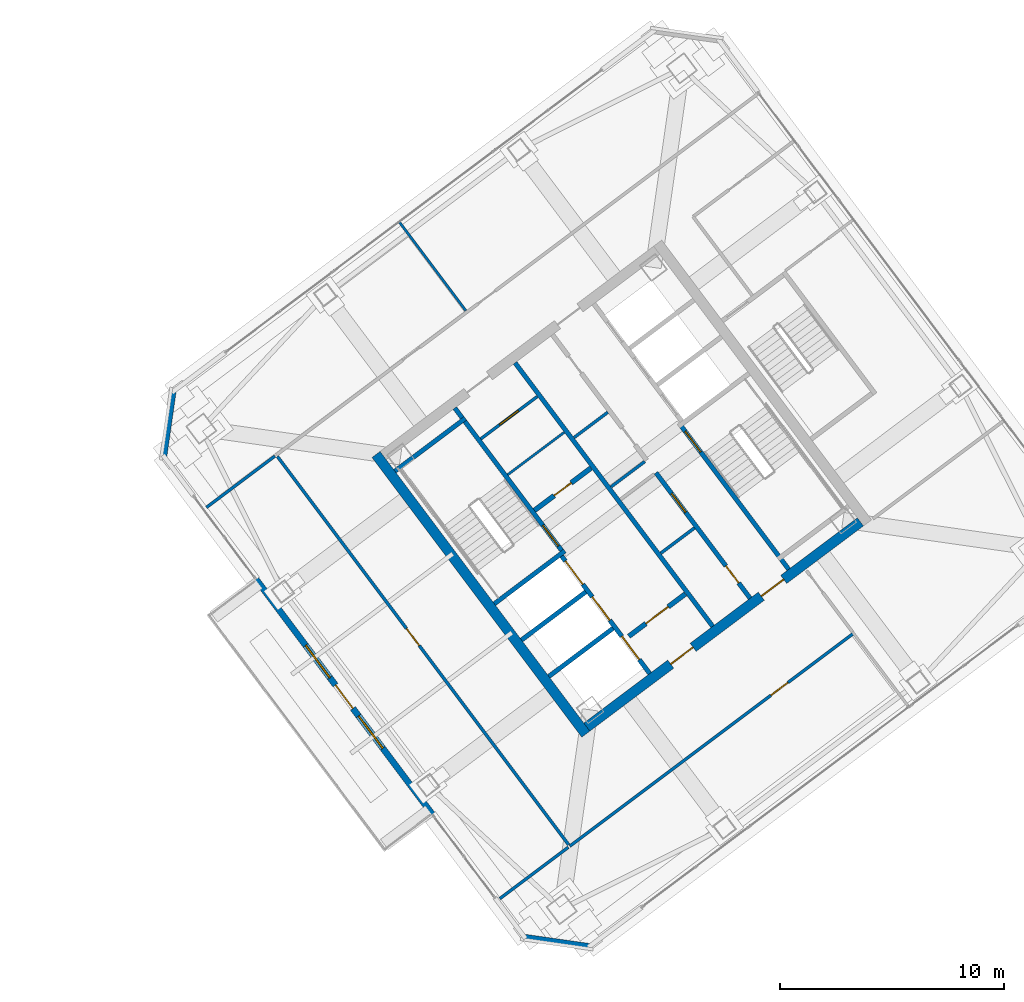
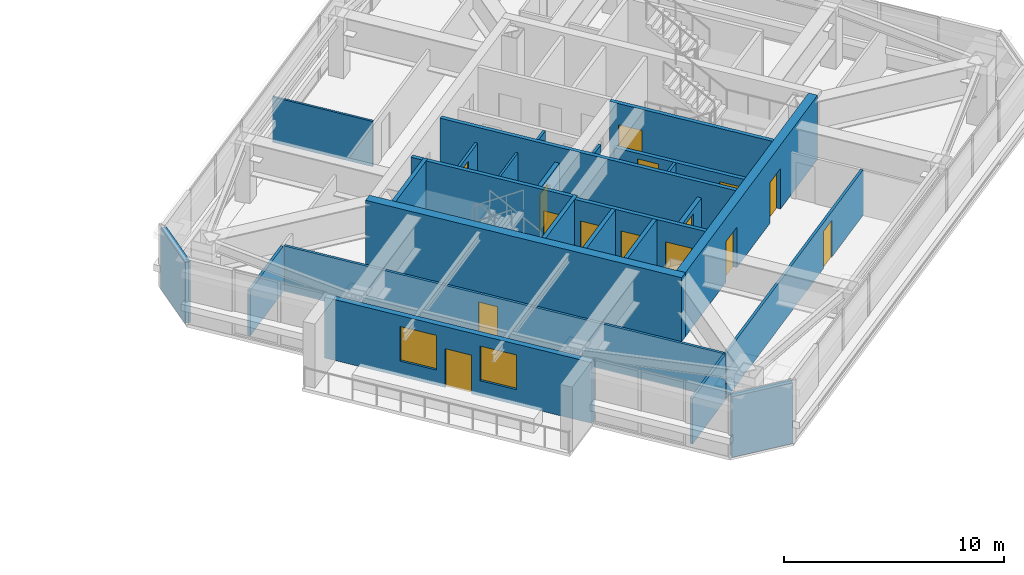
# One storey, part 32 of 40: 26 walls, 15 doors, 2 windows, 17 openings.
"""IFC4 building model written with IfcOpenShell, lengths in metres."""

from ifc_helpers import new_model, si_unit, direction, frame, frame_2d, origin, place, context, subcontext, project, spatial, rectangle, extrude, material, layer, layer_set, type_object, element, fill, save


model = new_model("IFC4")

# Units and contexts
model_context = context("Model", 3, precision=1e-05, world=origin(), true_north=direction((0.0, 1.0)))
body_context = subcontext(model_context, "Body", "Model", "MODEL_VIEW")
ifc_project = project(units=[si_unit("LENGTHUNIT", "METRE"), si_unit("AREAUNIT", "SQUARE_METRE"), si_unit("VOLUMEUNIT", "CUBIC_METRE"), si_unit("PLANEANGLEUNIT", "RADIAN"), si_unit("MASSUNIT", "GRAM", prefix="KILO")], contexts=[model_context])

# Site, building, storey
site_placement = place(None, origin())
site = spatial("IfcSite", under=ifc_project, at=site_placement, CompositionType="ELEMENT")
building_placement = place(site_placement, origin())
building = spatial("IfcBuilding", under=site, at=building_placement, Name="Tashvorn Skyway Center", CompositionType="ELEMENT")
storey_placement = place(building_placement, frame((0.0, 0.0, 229.050048828125)))
storey = spatial("IfcBuildingStorey", under=building, at=storey_placement, Name="L62", CompositionType="ELEMENT", Elevation=229.050048828125)

# Wall
ifc_material_1 = material(Name="Concrete C50/60", Category="concrete")
ifc_layer_1 = layer(ifc_material_1, 0.449951171875)
ifc_layer_set_1 = layer_set([ifc_layer_1], Name="Concrete C50/60")
wall_type_1 = type_object("IfcWallType", Name="WALL-CORE-450", PredefinedType="SHEAR", material=ifc_layer_set_1)
wall_1_placement = place(storey_placement, frame((112.39599609375, 21.047119140625, 0.0), z_axis=(0.0, 0.0, 1.0), x_axis=(-0.600005007985, 0.799996243986, 0.0)))
element("IfcWall", 1, at=wall_1_placement, inside=storey, type_object=wall_type_1, Name="Tower 2 L62 West Core Shear Wall", PredefinedType="SHEAR", context=body_context, shape_type="SweptSolid", body=[
    extrude(rectangle(XDim=15.60009765625, YDim=0.449951171875, at=frame_2d((7.800048828125, 0.0))), origin(), (0.0, 0.0, 1.0), 3.550048828125),
])

# Wall, openings, doors
wall_2_placement = place(storey_placement, frame((124.64892578125, 30.51806640625, 0.0), z_axis=(0.0, 0.0, 1.0), x_axis=(-0.8, -0.6, 0.0)))
wall_2 = element("IfcWall", 2, at=wall_2_placement, inside=storey, type_object=wall_type_1, Name="Tower 2 L62 South Core Shear Wall", PredefinedType="SHEAR", context=body_context, shape_type="SweptSolid", body=[
    extrude(rectangle(XDim=15.260009765625, YDim=0.449951171875, at=frame_2d((7.6298828125, 0.0))), origin(), (0.0, 0.0, 1.0), 3.550048828125),
])
opening_1_placement = place(wall_2_placement, frame((9.330078125, 0.0, 0.0)))
opening_1 = element("IfcOpeningElement", 3, at=opening_1_placement, cuts=wall_2, Name="Opening D-FFL-1250", PredefinedType="OPENING", context=body_context, shape_type="SweptSolid", body=[
    extrude(rectangle(XDim=1.25, YDim=2.25, at=frame_2d((0.625, 1.125))), frame((0.0, 0.23486328125, 0.0), z_axis=(0.0, -1.0, 0.0), x_axis=(1.0, 0.0, 0.0)), (0.0, 0.0, 1.0), 0.469970703125),
])
opening_2_placement = place(wall_2_placement, frame((4.280029296875, 0.0, 0.0)))
opening_2 = element("IfcOpeningElement", 4, at=opening_2_placement, cuts=wall_2, Name="Opening D-FFL-1250", PredefinedType="OPENING", context=body_context, shape_type="SweptSolid", body=[
    extrude(rectangle(XDim=1.25, YDim=2.25, at=frame_2d((0.625, 1.125))), frame((0.0, 0.23486328125, 0.0), z_axis=(0.0, -1.0, 0.0), x_axis=(1.0, 0.0, 0.0)), (0.0, 0.0, 1.0), 0.469970703125),
])
ifc_material_2 = material(Name="Hollow galvanized steel fire door assembly", Category="steel")
door_type_1 = type_object("IfcDoorType", Name="DOOR-FFL-1250", OperationType="NOTDEFINED", PredefinedType="DOOR", material=ifc_material_2)
door_1_placement = place(opening_1_placement, origin())
door_1 = element("IfcDoor", 5, at=door_1_placement, inside=storey, type_object=door_type_1, Name="Tower 2 L62 Core South Firefighting Exit Door", OperationType="SINGLE_SWING_LEFT", OverallHeight=2.25, OverallWidth=1.25, PredefinedType="DOOR", context=body_context, shape_type="SweptSolid", body=[
    extrude(rectangle(XDim=1.25, YDim=2.25, at=frame_2d((0.625, 1.125))), frame((0.0, 0.02490234375, 0.0), z_axis=(0.0, -1.0, 0.0), x_axis=(1.0, 0.0, 0.0)), (0.0, 0.0, 1.0), 0.050048828125),
])
fill(opening_1, door_1)
door_2_placement = place(opening_2_placement, origin())
door_2 = element("IfcDoor", 6, at=door_2_placement, inside=storey, type_object=door_type_1, Name="Tower 2 L62 Core South Lift Lobby Door", OperationType="SINGLE_SWING_RIGHT", OverallHeight=2.25, OverallWidth=1.25, PredefinedType="DOOR", context=body_context, shape_type="SweptSolid", body=[
    extrude(rectangle(XDim=1.25, YDim=2.25, at=frame_2d((0.625, 1.125))), frame((0.0, 0.02490234375, 0.0), z_axis=(0.0, -1.0, 0.0), x_axis=(1.0, 0.0, 0.0)), (0.0, 0.0, 1.0), 0.050048828125),
])
fill(opening_2, door_2)

# Wall, openings, door, windows
ifc_material_3 = material(Name="Precast concrete C40/50", Category="concrete")
ifc_layer_2 = layer(ifc_material_3, 0.280029296875)
ifc_layer_set_2 = layer_set([ifc_layer_2], Name="Precast concrete C40/50")
wall_type_2 = type_object("IfcWallType", Name="WALL-EXT-280", PredefinedType="SOLIDWALL", material=ifc_layer_set_2)
wall_3_placement = place(storey_placement, frame((105.575927734375, 17.431884765625, 0.0), z_axis=(0.0, 0.0, 1.0), x_axis=(-0.599994081423, 0.800004438899, 0.0)))
wall_3 = element("IfcWall", 7, at=wall_3_placement, inside=storey, type_object=wall_type_2, Name="Tower 2 L62 West Sky Garden Loggia Wall", PredefinedType="SOLIDWALL", context=body_context, shape_type="SweptSolid", body=[
    extrude(rectangle(XDim=13.199951171875, YDim=0.280029296875, at=frame_2d((6.60009765625, 0.0))), origin(), (0.0, 0.0, 1.0), 3.369873046875),
])
opening_3_placement = place(wall_3_placement, frame((5.949951171875, 0.0, 0.0)))
opening_3 = element("IfcOpeningElement", 8, at=opening_3_placement, cuts=wall_3, Name="Opening D-TER-1300", PredefinedType="OPENING", context=body_context, shape_type="SweptSolid", body=[
    extrude(rectangle(XDim=1.300048828125, YDim=2.14990234375, at=frame_2d((0.64990234375, 1.074951171875))), frame((0.0, 0.14990234375, 0.0), z_axis=(0.0, -1.0, 0.0), x_axis=(1.0, 0.0, 0.0)), (0.0, 0.0, 1.0), 0.300048828125),
])
opening_4_placement = place(wall_3_placement, frame((3.73193359375, 0.0, 0.85009765625)))
opening_4 = element("IfcOpeningElement", 9, at=opening_4_placement, cuts=wall_3, Name="Opening WIN-1800", PredefinedType="OPENING", context=body_context, shape_type="SweptSolid", body=[
    extrude(rectangle(XDim=1.800048828125, YDim=1.919921875, at=frame_2d((0.89990234375, 0.9599609375))), frame((0.0, 0.14990234375, 0.0), z_axis=(0.0, -1.0, 0.0), x_axis=(1.0, 0.0, 0.0)), (0.0, 0.0, 1.0), 0.300048828125),
])
opening_5_placement = place(wall_3_placement, frame((7.66796875, 0.0, 0.85009765625)))
opening_5 = element("IfcOpeningElement", 10, at=opening_5_placement, cuts=wall_3, Name="Opening WIN-1800", PredefinedType="OPENING", context=body_context, shape_type="SweptSolid", body=[
    extrude(rectangle(XDim=1.800048828125, YDim=1.919921875, at=frame_2d((0.89990234375, 0.9599609375))), frame((0.0, 0.14990234375, 0.0), z_axis=(0.0, -1.0, 0.0), x_axis=(1.0, 0.0, 0.0)), (0.0, 0.0, 1.0), 0.300048828125),
])
ifc_material_4 = material(Name="Thermally broken bronze-anodized aluminium 6063-T6", Category="aluminium")
door_type_2 = type_object("IfcDoorType", Name="DOOR-TERR-1300", OperationType="NOTDEFINED", PredefinedType="DOOR", material=ifc_material_4)
door_3_placement = place(opening_3_placement, origin())
door_3 = element("IfcDoor", 11, at=door_3_placement, inside=storey, type_object=door_type_2, Name="Tower 2 L62 Sky Garden Access Door", OperationType="SINGLE_SWING_LEFT", OverallHeight=2.14990234375, OverallWidth=1.300048828125, PredefinedType="DOOR", context=body_context, shape_type="SweptSolid", body=[
    extrude(rectangle(XDim=1.300048828125, YDim=2.14990234375, at=frame_2d((0.64990234375, 1.074951171875))), frame((0.0, 0.02490234375, 0.0), z_axis=(0.0, -1.0, 0.0), x_axis=(1.0, 0.0, 0.0)), (0.0, 0.0, 1.0), 0.050048828125),
])
fill(opening_3, door_3)
ifc_material_5 = material(Name="Low-E solar-control double insulating safety glass", Category="glass")
window_type = type_object("IfcWindowType", Name="WIN-TERR-1800", PartitioningType="SINGLE_PANEL", PredefinedType="WINDOW", material=ifc_material_5)
window_1_placement = place(opening_4_placement, origin())
window_1 = element("IfcWindow", 12, at=window_1_placement, inside=storey, type_object=window_type, Name="Tower 2 L62 Sky Garden Window", OverallHeight=1.919921875, OverallWidth=1.800048828125, PartitioningType="SINGLE_PANEL", PredefinedType="WINDOW", context=body_context, shape_type="SweptSolid", body=[
    extrude(rectangle(XDim=1.800048828125, YDim=1.919921875, at=frame_2d((0.89990234375, 0.9599609375))), frame((0.0, 0.030029296875, 0.0), z_axis=(0.0, -1.0, 0.0), x_axis=(1.0, 0.0, 0.0)), (0.0, 0.0, 1.0), 0.06005859375),
])
fill(opening_4, window_1)
window_2_placement = place(opening_5_placement, origin())
window_2 = element("IfcWindow", 13, at=window_2_placement, inside=storey, type_object=window_type, Name="Tower 2 L62 Sky Garden Second Window", OverallHeight=1.919921875, OverallWidth=1.800048828125, PartitioningType="SINGLE_PANEL", PredefinedType="WINDOW", context=body_context, shape_type="SweptSolid", body=[
    extrude(rectangle(XDim=1.800048828125, YDim=1.919921875, at=frame_2d((0.89990234375, 0.9599609375))), frame((0.0, 0.030029296875, 0.0), z_axis=(0.0, -1.0, 0.0), x_axis=(1.0, 0.0, 0.0)), (0.0, 0.0, 1.0), 0.06005859375),
])
fill(opening_5, window_2)

# Walls
for number, where, z_axis, x_axis, name in (
    (14, (112.580078125, 11.56005859375, 0.0), (0.0, 0.0, 1.0), (-0.989954425158, 0.14138683146, 0.0), "Tower 2 L62 SW Precast Chamfer Wall"),
    (15, (93.56005859375, 33.419921875, 0.0), (0.0, 0.0, 1.0), (0.14138683146, 0.989954425158, 0.0), "Tower 2 L62 NW Precast Chamfer Wall"),
):
    element("IfcWall", number, at=place(storey_placement, frame(where, z_axis=z_axis, x_axis=x_axis)), inside=storey, type_object=wall_type_2, Name=name, PredefinedType="SOLIDWALL", context=body_context, shape_type="SweptSolid", body=[
        extrude(rectangle(XDim=2.969970703125, YDim=0.280029296875, at=frame_2d((1.48486328125, 0.0))), origin(), (0.0, 0.0, 1.0), 3.369873046875),
    ])

# Wall, opening, door
ifc_material_6 = material(Name="Concrete C40/50", Category="concrete")
ifc_layer_3 = layer(ifc_material_6, 0.219970703125)
ifc_layer_set_3 = layer_set([ifc_layer_3], Name="Concrete C40/50")
wall_type_3 = type_object("IfcWallType", Name="WALL-FFL-220", PredefinedType="SOLIDWALL", material=ifc_layer_set_3)
wall_4_placement = place(storey_placement, frame((110.10400390625, 31.028076171875, 0.0), z_axis=(0.0, 0.0, 1.0), x_axis=(0.800018601094, 0.59997519774, 0.0)))
wall_4 = element("IfcWall", 16, at=wall_4_placement, inside=storey, type_object=wall_type_3, Name="Tower 2 L62 Firefighting Lobby North Wall", PredefinedType="SOLIDWALL", context=body_context, shape_type="SweptSolid", body=[
    extrude(rectangle(XDim=3.14990234375, YDim=0.219970703125, at=frame_2d((1.574951171875, 0.0))), origin(), (0.0, 0.0, 1.0), 2.512939453125),
])
opening_6_placement = place(wall_4_placement, frame((1.10009765625, 0.0, 0.0)))
opening_6 = element("IfcOpeningElement", 17, at=opening_6_placement, cuts=wall_4, Name="Opening D-RT-950", PredefinedType="OPENING", context=body_context, shape_type="SweptSolid", body=[
    extrude(rectangle(XDim=0.949951171875, YDim=2.050048828125, at=frame_2d((0.47509765625, 1.02490234375))), frame((0.0, 0.119873046875, 0.0), z_axis=(0.0, -1.0, 0.0), x_axis=(1.0, 0.0, 0.0)), (0.0, 0.0, 1.0), 0.239990234375),
])
door_type_3 = type_object("IfcDoorType", Name="DOOR-RATED-950", OperationType="NOTDEFINED", PredefinedType="DOOR", material=ifc_material_2)
door_4_placement = place(opening_6_placement, origin())
door_4 = element("IfcDoor", 18, at=door_4_placement, inside=storey, type_object=door_type_3, Name="Tower 2 L62 Core Linen Store Door", OperationType="SINGLE_SWING_LEFT", OverallHeight=2.050048828125, OverallWidth=0.949951171875, PredefinedType="DOOR", context=body_context, shape_type="SweptSolid", body=[
    extrude(rectangle(XDim=0.949951171875, YDim=2.050048828125, at=frame_2d((0.47509765625, 1.02490234375))), frame((0.0, 0.02490234375, 0.0), z_axis=(0.0, -1.0, 0.0), x_axis=(1.0, 0.0, 0.0)), (0.0, 0.0, 1.0), 0.050048828125),
])
fill(opening_6, door_4)

wall_5_placement = place(storey_placement, frame((114.31591796875, 25.412109375, 0.0), z_axis=(0.0, 0.0, 1.0), x_axis=(0.800018601094, 0.59997519774, 0.0)))
wall_5 = element("IfcWall", 19, at=wall_5_placement, inside=storey, type_object=wall_type_3, Name="Tower 2 L62 Firefighting Lobby South Wall", PredefinedType="SOLIDWALL", context=body_context, shape_type="SweptSolid", body=[
    extrude(rectangle(XDim=3.14990234375, YDim=0.219970703125, at=frame_2d((1.574951171875, 0.0))), origin(), (0.0, 0.0, 1.0), 2.512939453125),
])
opening_7_placement = place(wall_5_placement, frame((0.949951171875, 0.0, 0.0)))
opening_7 = element("IfcOpeningElement", 20, at=opening_7_placement, cuts=wall_5, Name="Opening D-FFL-1250", PredefinedType="OPENING", context=body_context, shape_type="SweptSolid", body=[
    extrude(rectangle(XDim=1.25, YDim=2.25, at=frame_2d((0.625, 1.125))), frame((0.0, 0.119873046875, 0.0), z_axis=(0.0, -1.0, 0.0), x_axis=(1.0, 0.0, 0.0)), (0.0, 0.0, 1.0), 0.239990234375),
])
door_5_placement = place(opening_7_placement, origin())
door_5 = element("IfcDoor", 21, at=door_5_placement, inside=storey, type_object=door_type_1, Name="Tower 2 L62 Firefighting Lobby Egress Door", OperationType="SINGLE_SWING_LEFT", OverallHeight=2.25, OverallWidth=1.25, PredefinedType="DOOR", context=body_context, shape_type="SweptSolid", body=[
    extrude(rectangle(XDim=1.25, YDim=2.25, at=frame_2d((0.625, 1.125))), frame((0.0, 0.02490234375, 0.0), z_axis=(0.0, -1.0, 0.0), x_axis=(1.0, 0.0, 0.0)), (0.0, 0.0, 1.0), 0.050048828125),
])
fill(opening_7, door_5)

# Wall
ifc_material_7 = material(Name="Gypsum board on cold-formed steel stud framing", Category="steel")
ifc_layer_4 = layer(ifc_material_7, 0.110107421875)
ifc_layer_set_4 = layer_set([ifc_layer_4], Name="Gypsum board on cold-formed steel stud framing")
wall_type_4 = type_object("IfcWallType", Name="WALL-PART-110", PredefinedType="PARTITIONING", material=ifc_layer_set_4)
wall_6_placement = place(storey_placement, frame((107.0419921875, 39.944091796875, 0.0), z_axis=(0.0, 0.0, 1.0), x_axis=(-0.6, 0.8, 0.0)))
element("IfcWall", 22, at=wall_6_placement, inside=storey, type_object=wall_type_4, Name="Tower 2 L62 North Suite Partition 1", PredefinedType="PARTITIONING", context=body_context, shape_type="SweptSolid", body=[
    extrude(rectangle(XDim=4.949951171875, YDim=0.110107421875, at=frame_2d((2.47509765625, 0.0))), origin(), (0.0, 0.0, 1.0), 2.512939453125),
])

# Wall, opening, door
ifc_layer_5 = layer(ifc_material_7, 0.135009765625)
ifc_layer_set_5 = layer_set([ifc_layer_5], Name="Gypsum board on cold-formed steel stud framing")
wall_type_5 = type_object("IfcWallType", Name="WALL-PART-135", PredefinedType="PARTITIONING", material=ifc_layer_set_5)
wall_7_placement = place(storey_placement, frame((124.342041015625, 25.5439453125, 0.0), z_axis=(0.0, 0.0, 1.0), x_axis=(-0.8, -0.6, 0.0)))
wall_7 = element("IfcWall", 23, at=wall_7_placement, inside=storey, type_object=wall_type_5, Name="Tower 2 L62 South Suite Wall", PredefinedType="PARTITIONING", context=body_context, shape_type="SweptSolid", body=[
    extrude(rectangle(XDim=15.830078125, YDim=0.135009765625, at=frame_2d((7.9150390625, 0.0))), origin(), (0.0, 0.0, 1.0), 2.512939453125),
])
opening_8_placement = place(wall_7_placement, frame((3.657958984375, 0.0, 0.0)))
opening_8 = element("IfcOpeningElement", 24, at=opening_8_placement, cuts=wall_7, Name="Opening D-INT-950", PredefinedType="OPENING", context=body_context, shape_type="SweptSolid", body=[
    extrude(rectangle(XDim=0.949951171875, YDim=2.050048828125, at=frame_2d((0.47509765625, 1.02490234375))), frame((0.0, 0.077392578125, 0.0), z_axis=(0.0, -1.0, 0.0), x_axis=(1.0, 0.0, 0.0)), (0.0, 0.0, 1.0), 0.155029296875),
])
ifc_material_8 = material(Name="Solid-core architectural oak veneer door")
door_type_4 = type_object("IfcDoorType", Name="DOOR-INT-950", OperationType="NOTDEFINED", PredefinedType="DOOR", material=ifc_material_8)
door_6_placement = place(opening_8_placement, origin())
door_6 = element("IfcDoor", 25, at=door_6_placement, inside=storey, type_object=door_type_4, Name="Tower 2 L62 Gallery Showroom Door", OperationType="SINGLE_SWING_RIGHT", OverallHeight=2.050048828125, OverallWidth=0.949951171875, PredefinedType="DOOR", context=body_context, shape_type="SweptSolid", body=[
    extrude(rectangle(XDim=0.949951171875, YDim=2.050048828125, at=frame_2d((0.47509765625, 1.02490234375))), frame((0.0, 0.02490234375, 0.0), z_axis=(0.0, -1.0, 0.0), x_axis=(1.0, 0.0, 0.0)), (0.0, 0.0, 1.0), 0.050048828125),
])
fill(opening_8, door_6)

wall_8_placement = place(storey_placement, frame((111.6298828125, 16.110107421875, 0.0), z_axis=(0.0, 0.0, 1.0), x_axis=(-0.599998196544, 0.800001352589, 0.0)))
wall_8 = element("IfcWall", 26, at=wall_8_placement, inside=storey, type_object=wall_type_5, Name="Tower 2 L62 West Inner Suite Wall", PredefinedType="PARTITIONING", context=body_context, shape_type="SweptSolid", body=[
    extrude(rectangle(XDim=21.659912109375, YDim=0.135009765625, at=frame_2d((10.830078125, 0.0))), origin(), (0.0, 0.0, 1.0), 2.512939453125),
])
opening_9_placement = place(wall_8_placement, frame((11.109130859375, 0.0, 0.0)))
opening_9 = element("IfcOpeningElement", 27, at=opening_9_placement, cuts=wall_8, Name="Opening D-INT-950", PredefinedType="OPENING", context=body_context, shape_type="SweptSolid", body=[
    extrude(rectangle(XDim=0.949951171875, YDim=2.050048828125, at=frame_2d((0.47509765625, 1.02490234375))), frame((0.0, 0.077392578125, 0.0), z_axis=(0.0, -1.0, 0.0), x_axis=(1.0, 0.0, 0.0)), (0.0, 0.0, 1.0), 0.155029296875),
])
door_7_placement = place(opening_9_placement, origin())
door_7 = element("IfcDoor", 28, at=door_7_placement, inside=storey, type_object=door_type_4, Name="Tower 2 L62 Public Restroom Door", OperationType="SINGLE_SWING_RIGHT", OverallHeight=2.050048828125, OverallWidth=0.949951171875, PredefinedType="DOOR", context=body_context, shape_type="SweptSolid", body=[
    extrude(rectangle(XDim=0.949951171875, YDim=2.050048828125, at=frame_2d((0.47509765625, 1.02490234375))), frame((0.0, 0.02490234375, 0.0), z_axis=(0.0, -1.0, 0.0), x_axis=(1.0, 0.0, 0.0)), (0.0, 0.0, 1.0), 0.050048828125),
])
fill(opening_9, door_7)

# Walls
for number, where, z_axis, x_axis, name in (
    (29, (98.52197265625, 33.4541015625, 0.0), (0.0, 0.0, 1.0), (-0.799992330439, -0.600010225945, 0.0), "Tower 2 L62 West Suite North Wall"),
    (30, (108.55810546875, 13.7060546875, 0.0), (0.0, 0.0, 1.0), (0.799992330439, 0.600010225945, 0.0), "Tower 2 L62 West Suite South Wall"),
):
    element("IfcWall", number, at=place(storey_placement, frame(where, z_axis=z_axis, x_axis=x_axis)), inside=storey, type_object=wall_type_5, Name=name, PredefinedType="PARTITIONING", context=body_context, shape_type="SweptSolid", body=[
        extrude(rectangle(XDim=3.81982421875, YDim=0.135009765625, at=frame_2d((1.909912109375, 0.0))), origin(), (0.0, 0.0, 1.0), 2.512939453125),
    ])
ifc_layer_6 = layer(ifc_material_7, 0.110107421875)
ifc_layer_set_6 = layer_set([ifc_layer_6], Name="Gypsum board on cold-formed steel stud framing")
wall_type_6 = type_object("IfcWallType", Name="WALL-RATED-110", PredefinedType="PARTITIONING", material=ifc_layer_set_6)
wall_9_placement = place(storey_placement, frame((108.909912109375, 32.6201171875, 0.0), z_axis=(0.0, 0.0, 1.0), x_axis=(0.800018601094, 0.59997519774, 0.0)))
element("IfcWall", 31, at=wall_9_placement, inside=storey, type_object=wall_type_6, Name="Tower 2 L62 Core Transverse Wall", PredefinedType="PARTITIONING", context=body_context, shape_type="SweptSolid", body=[
    extrude(rectangle(XDim=3.14990234375, YDim=0.110107421875, at=frame_2d((1.574951171875, 0.0))), origin(), (0.0, 0.0, 1.0), 2.512939453125),
])

# Wall, opening, door
ifc_layer_7 = layer(ifc_material_7, 0.135009765625)
ifc_layer_set_7 = layer_set([ifc_layer_7], Name="Gypsum board on cold-formed steel stud framing")
wall_type_7 = type_object("IfcWallType", Name="WALL-RATED-135", PredefinedType="PARTITIONING", material=ifc_layer_set_7)
wall_10_placement = place(storey_placement, frame((107.7099609375, 34.219970703125, 0.0), z_axis=(0.0, 0.0, 1.0), x_axis=(0.799981399002, 0.60002480053, 0.0)))
wall_10 = element("IfcWall", 32, at=wall_10_placement, inside=storey, type_object=wall_type_7, Name="Tower 2 L62 Core Service Lobby Wall", PredefinedType="PARTITIONING", context=body_context, shape_type="SweptSolid", body=[
    extrude(rectangle(XDim=3.150146484375, YDim=0.135009765625, at=frame_2d((1.5751953125, 0.0))), origin(), (0.0, 0.0, 1.0), 2.512939453125),
])
opening_10_placement = place(wall_10_placement, frame((1.050048828125, 0.0, 0.0)))
opening_10 = element("IfcOpeningElement", 33, at=opening_10_placement, cuts=wall_10, Name="Opening D-RT-1050", PredefinedType="OPENING", context=body_context, shape_type="SweptSolid", body=[
    extrude(rectangle(XDim=1.050048828125, YDim=2.199951171875, at=frame_2d((0.52490234375, 1.10009765625))), frame((0.0, 0.077392578125, 0.0), z_axis=(0.0, -1.0, 0.0), x_axis=(1.0, 0.0, 0.0)), (0.0, 0.0, 1.0), 0.155029296875),
])
door_type_5 = type_object("IfcDoorType", Name="DOOR-RATED-1050", OperationType="NOTDEFINED", PredefinedType="DOOR", material=ifc_material_2)
door_8_placement = place(opening_10_placement, origin())
door_8 = element("IfcDoor", 34, at=door_8_placement, inside=storey, type_object=door_type_5, Name="Tower 2 L62 Core Accessible WC Door", OperationType="SINGLE_SWING_RIGHT", OverallHeight=2.199951171875, OverallWidth=1.050048828125, PredefinedType="DOOR", context=body_context, shape_type="SweptSolid", body=[
    extrude(rectangle(XDim=1.050048828125, YDim=2.199951171875, at=frame_2d((0.52490234375, 1.10009765625))), frame((0.0, 0.02490234375, 0.0), z_axis=(0.0, -1.0, 0.0), x_axis=(1.0, 0.0, 0.0)), (0.0, 0.0, 1.0), 0.050048828125),
])
fill(opening_10, door_8)

# Walls
wall_11_placement = place(storey_placement, frame((115.74609375, 29.1220703125, 0.0), z_axis=(0.0, 0.0, 1.0), x_axis=(0.8, 0.6, 0.0)))
element("IfcWall", 35, at=wall_11_placement, inside=storey, type_object=wall_type_7, Name="Tower 2 L62 Freed Core Partition", PredefinedType="PARTITIONING", context=body_context, shape_type="SweptSolid", body=[
    extrude(rectangle(XDim=1.8798828125, YDim=0.135009765625, at=frame_2d((0.93994140625, 0.0))), origin(), (0.0, 0.0, 1.0), 2.512939453125),
])
wall_12_placement = place(storey_placement, frame((113.52587890625, 32.08203125, 0.0), z_axis=(0.0, 0.0, 1.0), x_axis=(0.800046745961, 0.599937666993, 0.0)))
element("IfcWall", 36, at=wall_12_placement, inside=storey, type_object=wall_type_7, Name="Tower 2 L62 Core Room Partition", PredefinedType="PARTITIONING", context=body_context, shape_type="SweptSolid", body=[
    extrude(rectangle(XDim=1.880126953125, YDim=0.135009765625, at=frame_2d((0.93994140625, 0.0))), origin(), (0.0, 0.0, 1.0), 2.512939453125),
])
wall_13_placement = place(storey_placement, frame((111.8759765625, 34.281982421875, 0.0), z_axis=(0.0, 0.0, 1.0), x_axis=(0.8, 0.6, 0.0)))
element("IfcWall", 37, at=wall_13_placement, inside=storey, type_object=wall_type_7, Name="Tower 2 L62 Freed Mid-Rise Partition", PredefinedType="PARTITIONING", context=body_context, shape_type="SweptSolid", body=[
    extrude(rectangle(XDim=1.8798828125, YDim=0.135009765625, at=frame_2d((0.93994140625, 0.0))), origin(), (0.0, 0.0, 1.0), 2.512939453125),
])
ifc_layer_8 = layer(ifc_material_6, 0.199951171875)
ifc_layer_set_8 = layer_set([ifc_layer_8], Name="Concrete C40/50")
wall_type_8 = type_object("IfcWallType", Name="WALL-SHAFT-200", PredefinedType="SOLIDWALL", material=ifc_layer_set_8)
for number, where, z_axis, x_axis, name in (
    (38, (110.74609375, 23.6220703125, 0.0), (0.0, 0.0, 1.0), (0.800008183455, 0.599989088572, 0.0), "Tower 2 L62 FSAE Shaft Divider"),
    (39, (109.528076171875, 25.24609375, 0.0), (0.0, 0.0, 1.0), (0.800008183455, 0.599989088572, 0.0), "Tower 2 L62 FSAE Shaft Divider"),
):
    element("IfcWall", number, at=place(storey_placement, frame(where, z_axis=z_axis, x_axis=x_axis)), inside=storey, type_object=wall_type_8, Name=name, PredefinedType="SOLIDWALL", context=body_context, shape_type="SweptSolid", body=[
        extrude(rectangle(XDim=3.580078125, YDim=0.199951171875, at=frame_2d((1.7900390625, 0.0))), origin(), (0.0, 0.0, 1.0), 3.369873046875),
    ])

# Wall, openings, doors
wall_14_placement = place(storey_placement, frame((119.72998046875, 27.110107421875, 0.0), z_axis=(0.0, 0.0, 1.0), x_axis=(-0.600005580459, 0.799995814625, 0.0)))
wall_14 = element("IfcWall", 40, at=wall_14_placement, inside=storey, type_object=wall_type_8, Name="Tower 2 L62 Low-Rise Core Wall", PredefinedType="SOLIDWALL", context=body_context, shape_type="SweptSolid", body=[
    extrude(rectangle(XDim=6.999755859375, YDim=0.199951171875, at=frame_2d((3.5, 0.0))), origin(), (0.0, 0.0, 1.0), 2.512939453125),
])
opening_11_placement = place(wall_14_placement, frame((0.85009765625, 0.0, 0.0)))
opening_11 = element("IfcOpeningElement", 41, at=opening_11_placement, cuts=wall_14, Name="Opening D-RT-950", PredefinedType="OPENING", context=body_context, shape_type="SweptSolid", body=[
    extrude(rectangle(XDim=0.949951171875, YDim=2.050048828125, at=frame_2d((0.47509765625, 1.02490234375))), frame((0.0, 0.10986328125, 0.0), z_axis=(0.0, -1.0, 0.0), x_axis=(1.0, 0.0, 0.0)), (0.0, 0.0, 1.0), 0.219970703125),
])
opening_12_placement = place(wall_14_placement, frame((4.800048828125, 0.0, 0.0)))
opening_12 = element("IfcOpeningElement", 42, at=opening_12_placement, cuts=wall_14, Name="Opening D-RT-1050", PredefinedType="OPENING", context=body_context, shape_type="SweptSolid", body=[
    extrude(rectangle(XDim=1.050048828125, YDim=2.199951171875, at=frame_2d((0.52490234375, 1.10009765625))), frame((0.0, 0.10986328125, 0.0), z_axis=(0.0, -1.0, 0.0), x_axis=(1.0, 0.0, 0.0)), (0.0, 0.0, 1.0), 0.219970703125),
])
door_9_placement = place(opening_12_placement, origin())
door_9 = element("IfcDoor", 43, at=door_9_placement, inside=storey, type_object=door_type_5, Name="Tower 2 L62 Freed Core Room Door", OperationType="SINGLE_SWING_RIGHT", OverallHeight=2.199951171875, OverallWidth=1.050048828125, PredefinedType="DOOR", context=body_context, shape_type="SweptSolid", body=[
    extrude(rectangle(XDim=1.050048828125, YDim=2.199951171875, at=frame_2d((0.52490234375, 1.10009765625))), frame((0.0, 0.02490234375, 0.0), z_axis=(0.0, -1.0, 0.0), x_axis=(1.0, 0.0, 0.0)), (0.0, 0.0, 1.0), 0.050048828125),
])
fill(opening_12, door_9)
door_10_placement = place(opening_11_placement, origin())
door_10 = element("IfcDoor", 44, at=door_10_placement, inside=storey, type_object=door_type_3, Name="Tower 2 L62 Core Print Room Door", OperationType="SINGLE_SWING_LEFT", OverallHeight=2.050048828125, OverallWidth=0.949951171875, PredefinedType="DOOR", context=body_context, shape_type="SweptSolid", body=[
    extrude(rectangle(XDim=0.949951171875, YDim=2.050048828125, at=frame_2d((0.47509765625, 1.02490234375))), frame((0.0, 0.02490234375, 0.0), z_axis=(0.0, -1.0, 0.0), x_axis=(1.0, 0.0, 0.0)), (0.0, 0.0, 1.0), 0.050048828125),
])
fill(opening_11, door_10)

# Wall, opening, door
ifc_layer_9 = layer(ifc_material_6, 0.199951171875)
ifc_layer_set_9 = layer_set([ifc_layer_9], Name="Concrete C40/50")
wall_type_9 = type_object("IfcWallType", Name="WALL-STSHF-200", PredefinedType="SHEAR", material=ifc_layer_set_9)
wall_15_placement = place(storey_placement, frame((111.43994140625, 29.080078125, 0.0), z_axis=(0.0, 0.0, 1.0), x_axis=(-0.59999041401, 0.800007189403, 0.0)))
wall_15 = element("IfcWall", 45, at=wall_15_placement, inside=storey, type_object=wall_type_9, Name="Tower 2 L62 Stair 1 Enclosure Wall", PredefinedType="SHEAR", context=body_context, shape_type="SweptSolid", body=[
    extrude(rectangle(XDim=8.14990234375, YDim=0.199951171875, at=frame_2d((4.074951171875, 0.0))), origin(), (0.0, 0.0, 1.0), 3.369873046875),
])
opening_13_placement = place(wall_15_placement, frame((0.449951171875, 0.0, 0.0)))
opening_13 = element("IfcOpeningElement", 46, at=opening_13_placement, cuts=wall_15, Name="Opening D-ST-1150", PredefinedType="OPENING", context=body_context, shape_type="SweptSolid", body=[
    extrude(rectangle(XDim=1.14990234375, YDim=2.199951171875, at=frame_2d((0.574951171875, 1.10009765625))), frame((0.0, 0.10986328125, 0.0), z_axis=(0.0, -1.0, 0.0), x_axis=(1.0, 0.0, 0.0)), (0.0, 0.0, 1.0), 0.219970703125),
])
door_type_6 = type_object("IfcDoorType", Name="DOOR-STAIR-1150", OperationType="NOTDEFINED", PredefinedType="DOOR", material=ifc_material_2)
door_11_placement = place(opening_13_placement, origin())
door_11 = element("IfcDoor", 47, at=door_11_placement, inside=storey, type_object=door_type_6, Name="Tower 2 L62 Exit Stair 1 Door", OperationType="SINGLE_SWING_RIGHT", OverallHeight=2.199951171875, OverallWidth=1.14990234375, PredefinedType="DOOR", context=body_context, shape_type="SweptSolid", body=[
    extrude(rectangle(XDim=1.14990234375, YDim=2.199951171875, at=frame_2d((0.574951171875, 1.10009765625))), frame((0.0, 0.02490234375, 0.0), z_axis=(0.0, -1.0, 0.0), x_axis=(1.0, 0.0, 0.0)), (0.0, 0.0, 1.0), 0.050048828125),
])
fill(opening_13, door_11)

# Walls
for number, where, z_axis, x_axis, name in (
    (48, (108.31591796875, 26.862060546875, 0.0), (0.0, 0.0, 1.0), (0.800014909178, 0.599980120581, 0.0), "Tower 2 L62 Stair 1 South Wall"),
    (49, (103.8759765625, 32.781982421875, 0.0), (0.0, 0.0, 1.0), (0.800014909178, 0.599980120581, 0.0), "Tower 2 L62 Stair 1 North Wall"),
):
    element("IfcWall", number, at=place(storey_placement, frame(where, z_axis=z_axis, x_axis=x_axis)), inside=storey, type_object=wall_type_9, Name=name, PredefinedType="SHEAR", context=body_context, shape_type="SweptSolid", body=[
        extrude(rectangle(XDim=3.929931640625, YDim=0.199951171875, at=frame_2d((1.96484375, 0.0))), origin(), (0.0, 0.0, 1.0), 3.369873046875),
    ])

# Wall, opening, door
wall_16_placement = place(storey_placement, frame((116.56005859375, 34.919921875, 0.0), z_axis=(0.0, 0.0, 1.0), x_axis=(0.59999041401, -0.800007189403, 0.0)))
wall_16 = element("IfcWall", 50, at=wall_16_placement, inside=storey, type_object=wall_type_9, Name="Tower 2 L62 Stair 2 Enclosure Wall", PredefinedType="SHEAR", context=body_context, shape_type="SweptSolid", body=[
    extrude(rectangle(XDim=8.14990234375, YDim=0.199951171875, at=frame_2d((4.074951171875, 0.0))), origin(), (0.0, 0.0, 1.0), 3.369873046875),
])
opening_14_placement = place(wall_16_placement, frame((0.449951171875, 0.0, 0.0)))
opening_14 = element("IfcOpeningElement", 51, at=opening_14_placement, cuts=wall_16, Name="Opening D-ST-1150", PredefinedType="OPENING", context=body_context, shape_type="SweptSolid", body=[
    extrude(rectangle(XDim=1.14990234375, YDim=2.199951171875, at=frame_2d((0.574951171875, 1.10009765625))), frame((0.0, 0.10986328125, 0.0), z_axis=(0.0, -1.0, 0.0), x_axis=(1.0, 0.0, 0.0)), (0.0, 0.0, 1.0), 0.219970703125),
])
door_12_placement = place(opening_14_placement, origin())
door_12 = element("IfcDoor", 52, at=door_12_placement, inside=storey, type_object=door_type_6, Name="Tower 2 L62 Exit Stair 2 Door", OperationType="SINGLE_SWING_RIGHT", OverallHeight=2.199951171875, OverallWidth=1.14990234375, PredefinedType="DOOR", context=body_context, shape_type="SweptSolid", body=[
    extrude(rectangle(XDim=1.14990234375, YDim=2.199951171875, at=frame_2d((0.574951171875, 1.10009765625))), frame((0.0, 0.02490234375, 0.0), z_axis=(0.0, -1.0, 0.0), x_axis=(1.0, 0.0, 0.0)), (0.0, 0.0, 1.0), 0.050048828125),
])
fill(opening_14, door_12)

# Wall
wall_17_placement = place(storey_placement, frame((118.05810546875, 25.85595703125, 0.0), z_axis=(0.0, 0.0, 1.0), x_axis=(-0.600002657301, 0.799998007018, 0.0)))
element("IfcWall", 53, at=wall_17_placement, inside=storey, type_object=wall_type_9, Name="Tower 2 L62 Firefighting Lobby East Smoke Barrier", PredefinedType="SHEAR", context=body_context, shape_type="SweptSolid", body=[
    extrude(rectangle(XDim=14.699951171875, YDim=0.199951171875, at=frame_2d((7.35009765625, 0.0))), origin(), (0.0, 0.0, 1.0), 3.369873046875),
])

# Wall, openings, doors
wall_18_placement = place(storey_placement, frame((115.25, 23.75, 0.0), z_axis=(0.0, 0.0, 1.0), x_axis=(-0.599994036198, 0.800004472816, 0.0)))
wall_18 = element("IfcWall", 54, at=wall_18_placement, inside=storey, type_object=wall_type_9, Name="Tower 2 L62 FSAE and Goods Shaft Front Wall", PredefinedType="SHEAR", context=body_context, shape_type="SweptSolid", body=[
    extrude(rectangle(XDim=6.550048828125, YDim=0.199951171875, at=frame_2d((3.27490234375, 0.0))), origin(), (0.0, 0.0, 1.0), 3.369873046875),
])
opening_15_placement = place(wall_18_placement, frame((4.97509765625, 0.0, 0.0)))
opening_15 = element("IfcOpeningElement", 55, at=opening_15_placement, cuts=wall_18, Name="Opening LD-FF-T2-1-L62", PredefinedType="OPENING", context=body_context, shape_type="SweptSolid", body=[
    extrude(rectangle(XDim=1.300048828125, YDim=2.25, at=frame_2d((0.64990234375, 1.125))), frame((0.0, 0.10986328125, 0.0), z_axis=(0.0, -1.0, 0.0), x_axis=(1.0, 0.0, 0.0)), (0.0, 0.0, 1.0), 0.219970703125),
])
opening_16_placement = place(wall_18_placement, frame((2.97509765625, 0.0, 0.0)))
opening_16 = element("IfcOpeningElement", 56, at=opening_16_placement, cuts=wall_18, Name="Opening LD-FF-T2-2-L62", PredefinedType="OPENING", context=body_context, shape_type="SweptSolid", body=[
    extrude(rectangle(XDim=1.300048828125, YDim=2.25, at=frame_2d((0.64990234375, 1.125))), frame((0.0, 0.10986328125, 0.0), z_axis=(0.0, -1.0, 0.0), x_axis=(1.0, 0.0, 0.0)), (0.0, 0.0, 1.0), 0.219970703125),
])
opening_17_placement = place(wall_18_placement, frame((0.77490234375, 0.0, 0.0)))
opening_17 = element("IfcOpeningElement", 57, at=opening_17_placement, cuts=wall_18, Name="Opening LD-GD-T2-1-L62", PredefinedType="OPENING", context=body_context, shape_type="SweptSolid", body=[
    extrude(rectangle(XDim=1.300048828125, YDim=2.25, at=frame_2d((0.64990234375, 1.125))), frame((0.0, 0.10986328125, 0.0), z_axis=(0.0, -1.0, 0.0), x_axis=(1.0, 0.0, 0.0)), (0.0, 0.0, 1.0), 0.219970703125),
])
ifc_material_9 = material(Name="Stainless steel heavy-duty landing door", Category="steel")
door_type_7 = type_object("IfcDoorType", Name="DOOR-LIFT-1300", OperationType="SLIDING_TO_LEFT", PredefinedType="DOOR", material=ifc_material_9)
door_13_placement = place(opening_15_placement, origin())
door_13 = element("IfcDoor", 58, at=door_13_placement, inside=storey, type_object=door_type_7, Name="Lift FF-T2-1 L62 Landing Door", OperationType="SLIDING_TO_LEFT", OverallHeight=2.25, OverallWidth=1.300048828125, PredefinedType="DOOR", context=body_context, shape_type="SweptSolid", body=[
    extrude(rectangle(XDim=1.300048828125, YDim=2.25, at=frame_2d((0.64990234375, 1.125))), frame((0.0, 0.02490234375, 0.0), z_axis=(0.0, -1.0, 0.0), x_axis=(1.0, 0.0, 0.0)), (0.0, 0.0, 1.0), 0.050048828125),
])
fill(opening_15, door_13)
door_14_placement = place(opening_16_placement, origin())
door_14 = element("IfcDoor", 59, at=door_14_placement, inside=storey, type_object=door_type_7, Name="Lift FF-T2-2 L62 Landing Door", OperationType="SLIDING_TO_LEFT", OverallHeight=2.25, OverallWidth=1.300048828125, PredefinedType="DOOR", context=body_context, shape_type="SweptSolid", body=[
    extrude(rectangle(XDim=1.300048828125, YDim=2.25, at=frame_2d((0.64990234375, 1.125))), frame((0.0, 0.02490234375, 0.0), z_axis=(0.0, -1.0, 0.0), x_axis=(1.0, 0.0, 0.0)), (0.0, 0.0, 1.0), 0.050048828125),
])
fill(opening_16, door_14)
door_15_placement = place(opening_17_placement, origin())
door_15 = element("IfcDoor", 60, at=door_15_placement, inside=storey, type_object=door_type_7, Name="Lift GD-T2-1 L62 Landing Door", OperationType="SLIDING_TO_LEFT", OverallHeight=2.25, OverallWidth=1.300048828125, PredefinedType="DOOR", context=body_context, shape_type="SweptSolid", body=[
    extrude(rectangle(XDim=1.300048828125, YDim=2.25, at=frame_2d((0.64990234375, 1.125))), frame((0.0, 0.02490234375, 0.0), z_axis=(0.0, -1.0, 0.0), x_axis=(1.0, 0.0, 0.0)), (0.0, 0.0, 1.0), 0.050048828125),
])
fill(opening_17, door_15)

save(model, "model.ifc")
